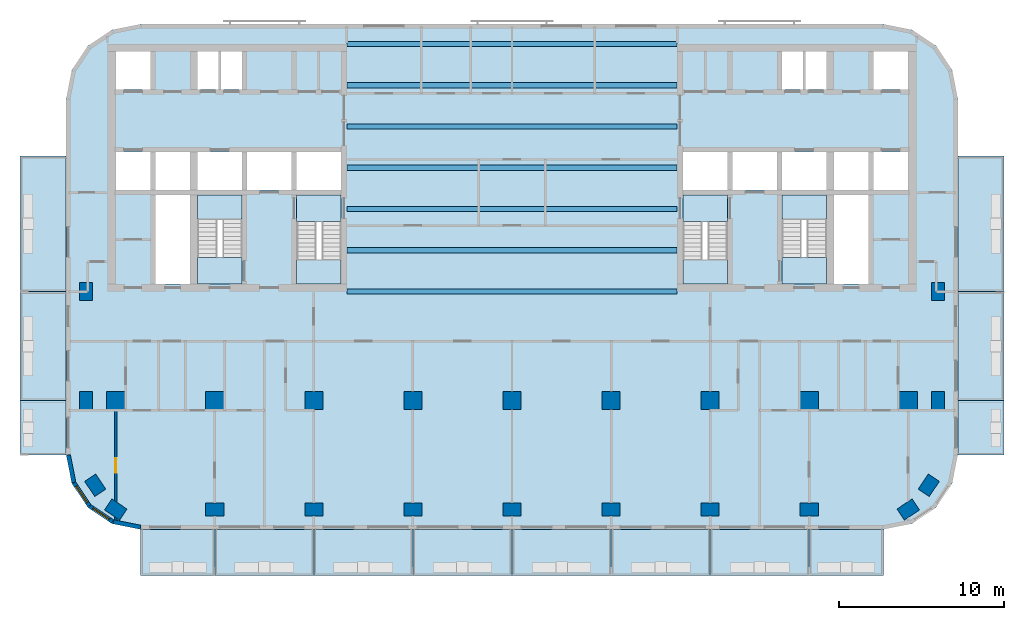
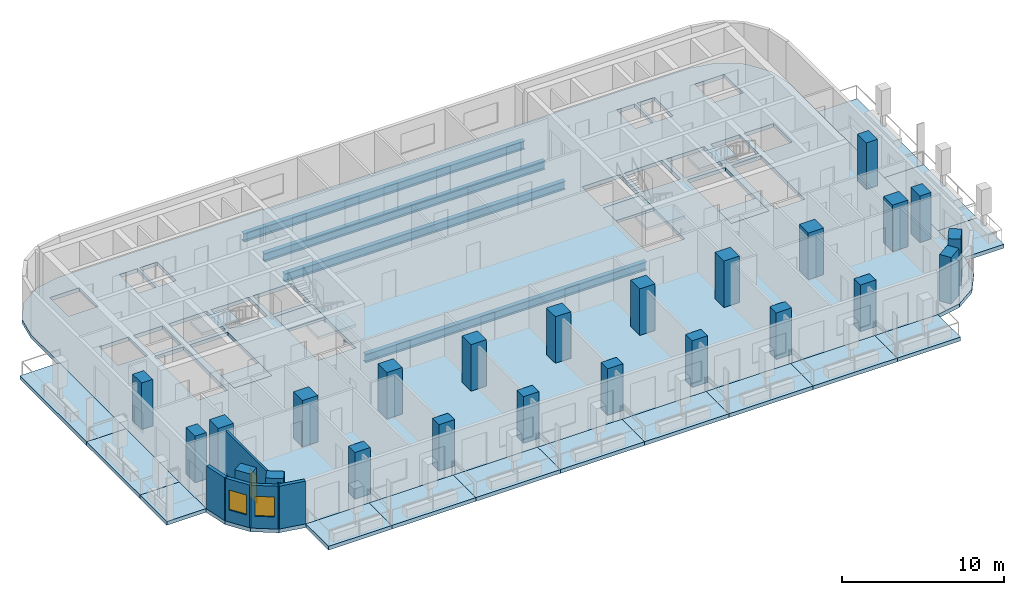
# One storey, part 1 of 12: 24 columns, 23 slabs, 7 beams, 5 walls, 2 windows, 1 door, 3 openings, 4 elements without a shape of their own.
"""IFC4 building model written with IfcOpenShell, lengths in metres."""

from ifc_helpers import new_model, si_unit, direction, frame, frame_2d, origin, origin_2d, place, context, subcontext, project, spatial, polyline, rectangle, i_section, outline, extrude, material, layer, layer_set, material_profile, profile_set, type_object, element, fill, aggregate, save


model = new_model("IFC4")

# Units and contexts
model_context = context("Model", 3, precision=1e-05, world=origin(), true_north=direction((0.0, 1.0)))
body_context = subcontext(model_context, "Body", "Model", "MODEL_VIEW")
ifc_project = project(units=[si_unit("LENGTHUNIT", "METRE"), si_unit("AREAUNIT", "SQUARE_METRE"), si_unit("VOLUMEUNIT", "CUBIC_METRE"), si_unit("PLANEANGLEUNIT", "RADIAN"), si_unit("MASSUNIT", "GRAM", prefix="KILO")], contexts=[model_context])

# Site, building, storey
site_placement = place(None, origin())
site = spatial("IfcSite", under=ifc_project, at=site_placement, CompositionType="ELEMENT")
building_placement = place(site_placement, origin())
building = spatial("IfcBuilding", under=site, at=building_placement, Name="Torana Hotel and Residences", CompositionType="ELEMENT")
storey_placement = place(building_placement, frame((0.0, 0.0, 197.60009765625)))
storey = spatial("IfcBuildingStorey", under=building, at=storey_placement, Name="L51", CompositionType="ELEMENT", Elevation=197.60009765625)

# Columns
ifc_material_1 = material(Name="Concrete C60/75", Category="concrete")
ifc_material_profile_1 = material_profile(ifc_material_1, rectangle(XDim=1.10009765625, YDim=1.10009765625, at=origin_2d()), Name="RC 1100x1100")
ifc_profile_set_1 = profile_set([ifc_material_profile_1], Name="Concrete C60/75")
column_type_1 = type_object("IfcColumnType", Name="COLUMN RC 1100x1100 C60/75", PredefinedType="COLUMN", material=ifc_profile_set_1)
for number, where, z_axis, x_axis, name in (
    (1, (-24.0, -21.60009765625, 0.0), (0.0, 0.0, 1.0), (1.0, 0.0, 0.0), "Column L51"),
    (2, (-18.0, -21.60009765625, 0.0), (0.0, 0.0, 1.0), (1.0, 0.0, 0.0), "Column L51"),
    (3, (-12.0, -21.60009765625, 0.0), (0.0, 0.0, 1.0), (1.0, 0.0, 0.0), "Column L51"),
    (4, (-6.0, -21.60009765625, 0.0), (0.0, 0.0, 1.0), (1.0, 0.0, 0.0), "Column L51"),
    (5, (0.0, -21.60009765625, 0.0), (0.0, 0.0, 1.0), (1.0, 0.0, 0.0), "Column L51"),
    (6, (6.0, -21.60009765625, 0.0), (0.0, 0.0, 1.0), (1.0, 0.0, 0.0), "Column L51"),
    (7, (12.0, -21.60009765625, 0.0), (0.0, 0.0, 1.0), (1.0, 0.0, 0.0), "Column L51"),
    (8, (18.0, -21.60009765625, 0.0), (0.0, 0.0, 1.0), (1.0, 0.0, 0.0), "Column L51"),
    (9, (24.0, -21.60009765625, 0.0), (0.0, 0.0, 1.0), (1.0, 0.0, 0.0), "Column L51"),
):
    element("IfcColumn", number, at=place(storey_placement, frame(where, z_axis=z_axis, x_axis=x_axis)), inside=storey, type_object=column_type_1, Name=name, PredefinedType="COLUMN", context=body_context, shape_type="SweptSolid", body=[
        extrude(rectangle(XDim=1.10009765625, YDim=1.10009765625, at=origin_2d()), origin(), (0.0, 0.0, 1.0), 3.5),
    ])
ifc_material_2 = material(Name="Concrete C60/75", Category="concrete")
ifc_material_profile_2 = material_profile(ifc_material_2, rectangle(XDim=1.10009765625, YDim=0.800048828125, at=origin_2d()), Name="RC 1100x800")
ifc_profile_set_2 = profile_set([ifc_material_profile_2], Name="Concrete C60/75")
column_type_2 = type_object("IfcColumnType", Name="COLUMN RC 1100x800 C60/75", PredefinedType="COLUMN", material=ifc_profile_set_2)
for number, where, z_axis, x_axis, name in (
    (10, (-25.800048828125, -21.60009765625, 0.0), (0.0, 0.0, 1.0), (0.0, 1.0, 0.0), "Column L51"),
    (11, (-25.800048828125, -15.0, 0.0), (0.0, 0.0, 1.0), (0.0, 1.0, 0.0), "Column L51"),
    (12, (-25.243896484375, -26.73291015625, 0.0), (0.0, 0.0, 1.0), (-0.555584744817, 0.831459915646, 0.0), "Column L51"),
    (13, (-24.0, -28.199951171875, 0.0), (0.0, 0.0, 1.0), (-0.831459915646, 0.555584744817, 0.0), "Column L51"),
    (14, (-18.0, -28.199951171875, 0.0), (0.0, 0.0, 1.0), (1.0, 0.0, 0.0), "Column L51"),
    (15, (-12.0, -28.199951171875, 0.0), (0.0, 0.0, 1.0), (1.0, 0.0, 0.0), "Column L51"),
    (16, (-6.0, -28.199951171875, 0.0), (0.0, 0.0, 1.0), (1.0, 0.0, 0.0), "Column L51"),
    (17, (0.0, -28.199951171875, 0.0), (0.0, 0.0, 1.0), (1.0, 0.0, 0.0), "Column L51"),
    (18, (6.0, -28.199951171875, 0.0), (0.0, 0.0, 1.0), (1.0, 0.0, 0.0), "Column L51"),
    (19, (12.0, -28.199951171875, 0.0), (0.0, 0.0, 1.0), (1.0, 0.0, 0.0), "Column L51"),
    (20, (18.0, -28.199951171875, 0.0), (0.0, 0.0, 1.0), (1.0, 0.0, 0.0), "Column L51"),
    (21, (24.0, -28.199951171875, 0.0), (0.0, 0.0, 1.0), (0.831459915646, 0.555584744817, 0.0), "Column L51"),
    (22, (25.243896484375, -26.73291015625, 0.0), (0.0, 0.0, 1.0), (0.555584744817, 0.831459915646, 0.0), "Column L51"),
    (23, (25.800048828125, -21.60009765625, 0.0), (0.0, 0.0, 1.0), (0.0, 1.0, 0.0), "Column L51"),
    (24, (25.800048828125, -15.0, 0.0), (0.0, 0.0, 1.0), (0.0, 1.0, 0.0), "Column L51"),
):
    element("IfcColumn", number, at=place(storey_placement, frame(where, z_axis=z_axis, x_axis=x_axis)), inside=storey, type_object=column_type_2, Name=name, PredefinedType="COLUMN", context=body_context, shape_type="SweptSolid", body=[
        extrude(rectangle(XDim=1.10009765625, YDim=0.800048828125, at=origin_2d()), origin(), (0.0, 0.0, 1.0), 3.5),
    ])

# Beams
ifc_material_3 = material(Name="Steel S355", Category="steel")
ifc_material_profile_3 = material_profile(ifc_material_3, i_section(OverallWidth=0.311279296875, OverallDepth=0.6357421875, WebThickness=0.018310546875, FlangeThickness=0.031494140625, FilletRadius=0.0166015625, at=origin_2d()), Name="610x305x238 UB")
ifc_profile_set_3 = profile_set([ifc_material_profile_3], Name="Steel S355")
beam_type = type_object("IfcBeamType", Name="STEEL GIRDER 610x305x238 UB", PredefinedType="BEAM", material=ifc_profile_set_3)
for number, where, z_axis, x_axis, name in (
    (25, (-10.0, -15.0, -0.597900390625), (1.0, 0.0, 0.0), (0.0, 1.0, 0.0), "Floor girder"),
    (26, (-10.0, -12.5, -0.597900390625), (1.0, 0.0, 0.0), (0.0, 1.0, 0.0), "Floor girder"),
    (27, (-10.0, -10.0, -0.597900390625), (1.0, 0.0, 0.0), (0.0, 1.0, 0.0), "Floor girder"),
    (28, (-10.0, -7.5, -0.597900390625), (1.0, 0.0, 0.0), (0.0, 1.0, 0.0), "Floor girder"),
    (29, (-10.0, -5.0, -0.597900390625), (1.0, 0.0, 0.0), (0.0, 1.0, 0.0), "Floor girder"),
    (30, (-10.0, -2.5, -0.597900390625), (1.0, 0.0, 0.0), (0.0, 1.0, 0.0), "Floor girder"),
    (31, (-10.0, 0.0, -0.597900390625), (1.0, 0.0, 0.0), (0.0, 1.0, 0.0), "Floor girder"),
):
    element("IfcBeam", number, at=place(storey_placement, frame(where, z_axis=z_axis, x_axis=x_axis)), inside=storey, type_object=beam_type, Name=name, PredefinedType="BEAM", context=body_context, shape_type="SweptSolid", body=[
        extrude(i_section(OverallWidth=0.311279296875, OverallDepth=0.6357421875, WebThickness=0.018310546875, FlangeThickness=0.031494140625, FilletRadius=0.0166015625, at=origin_2d()), origin(), (0.0, 0.0, 1.0), 20.0),
    ])

# Slabs
ifc_material_4 = material(Name="Concrete C40/50", Category="concrete")
ifc_layer_1 = layer(ifc_material_4, 0.280029296875)
ifc_layer_set_1 = layer_set([ifc_layer_1], Name="BAL1 BALCONY SLAB 280")
slab_type_1 = type_object("IfcSlabType", Name="BAL1 BALCONY SLAB 280", PredefinedType="USERDEFINED", material=ifc_layer_set_1)
slab_1_placement = place(storey_placement, frame((0.0, 0.0, -0.280029296875)))
element("IfcSlab", 32, at=slab_1_placement, inside=storey, type_object=slab_type_1, Name="Balcony 01", ObjectType="BALCONY", PredefinedType="USERDEFINED", context=body_context, shape_type="SweptSolid", body=[
    extrude(outline(polyline([(-22.5, -32.199951171875), (-18.0, -32.199951171875), (-18.0, -29.39990234375), (-22.5, -29.39990234375), (-22.5, -32.199951171875)])), origin(), (0.0, 0.0, 1.0), 0.280029296875),
])
slab_2_placement = place(storey_placement, frame((0.0, 0.0, -0.280029296875)))
element("IfcSlab", 33, at=slab_2_placement, inside=storey, type_object=slab_type_1, Name="Balcony 02", ObjectType="BALCONY", PredefinedType="USERDEFINED", context=body_context, shape_type="SweptSolid", body=[
    extrude(outline(polyline([(-18.0, -32.199951171875), (-12.0, -32.199951171875), (-12.0, -29.39990234375), (-18.0, -29.39990234375), (-18.0, -32.199951171875)])), origin(), (0.0, 0.0, 1.0), 0.280029296875),
])
slab_3_placement = place(storey_placement, frame((0.0, 0.0, -0.280029296875)))
element("IfcSlab", 34, at=slab_3_placement, inside=storey, type_object=slab_type_1, Name="Balcony 03", ObjectType="BALCONY", PredefinedType="USERDEFINED", context=body_context, shape_type="SweptSolid", body=[
    extrude(outline(polyline([(-12.0, -32.199951171875), (-6.0, -32.199951171875), (-6.0, -29.39990234375), (-12.0, -29.39990234375), (-12.0, -32.199951171875)])), origin(), (0.0, 0.0, 1.0), 0.280029296875),
])
slab_4_placement = place(storey_placement, frame((0.0, 0.0, -0.280029296875)))
element("IfcSlab", 35, at=slab_4_placement, inside=storey, type_object=slab_type_1, Name="Balcony 04", ObjectType="BALCONY", PredefinedType="USERDEFINED", context=body_context, shape_type="SweptSolid", body=[
    extrude(outline(polyline([(-6.0, -32.199951171875), (0.0, -32.199951171875), (0.0, -29.39990234375), (-6.0, -29.39990234375), (-6.0, -32.199951171875)])), origin(), (0.0, 0.0, 1.0), 0.280029296875),
])
slab_5_placement = place(storey_placement, frame((0.0, 0.0, -0.280029296875)))
element("IfcSlab", 36, at=slab_5_placement, inside=storey, type_object=slab_type_1, Name="Balcony 05", ObjectType="BALCONY", PredefinedType="USERDEFINED", context=body_context, shape_type="SweptSolid", body=[
    extrude(outline(polyline([(0.0, -32.199951171875), (6.0, -32.199951171875), (6.0, -29.39990234375), (0.0, -29.39990234375), (0.0, -32.199951171875)])), origin(), (0.0, 0.0, 1.0), 0.280029296875),
])
slab_6_placement = place(storey_placement, frame((0.0, 0.0, -0.280029296875)))
element("IfcSlab", 37, at=slab_6_placement, inside=storey, type_object=slab_type_1, Name="Balcony 06", ObjectType="BALCONY", PredefinedType="USERDEFINED", context=body_context, shape_type="SweptSolid", body=[
    extrude(outline(polyline([(6.0, -32.199951171875), (12.0, -32.199951171875), (12.0, -29.39990234375), (6.0, -29.39990234375), (6.0, -32.199951171875)])), origin(), (0.0, 0.0, 1.0), 0.280029296875),
])
slab_7_placement = place(storey_placement, frame((0.0, 0.0, -0.280029296875)))
element("IfcSlab", 38, at=slab_7_placement, inside=storey, type_object=slab_type_1, Name="Balcony 07", ObjectType="BALCONY", PredefinedType="USERDEFINED", context=body_context, shape_type="SweptSolid", body=[
    extrude(outline(polyline([(12.0, -32.199951171875), (18.0, -32.199951171875), (18.0, -29.39990234375), (12.0, -29.39990234375), (12.0, -32.199951171875)])), origin(), (0.0, 0.0, 1.0), 0.280029296875),
])
slab_8_placement = place(storey_placement, frame((0.0, 0.0, -0.280029296875)))
element("IfcSlab", 39, at=slab_8_placement, inside=storey, type_object=slab_type_1, Name="Balcony 08", ObjectType="BALCONY", PredefinedType="USERDEFINED", context=body_context, shape_type="SweptSolid", body=[
    extrude(outline(polyline([(18.0, -32.199951171875), (22.5, -32.199951171875), (22.5, -29.39990234375), (18.0, -29.39990234375), (18.0, -32.199951171875)])), origin(), (0.0, 0.0, 1.0), 0.280029296875),
])
slab_9_placement = place(storey_placement, frame((0.0, 0.0, -0.280029296875)))
element("IfcSlab", 40, at=slab_9_placement, inside=storey, type_object=slab_type_1, Name="Balcony 09", ObjectType="BALCONY", PredefinedType="USERDEFINED", context=body_context, shape_type="SweptSolid", body=[
    extrude(outline(polyline([(-29.800048828125, -24.89990234375), (-27.0, -24.89990234375), (-27.0, -21.60009765625), (-29.800048828125, -21.60009765625), (-29.800048828125, -24.89990234375)])), origin(), (0.0, 0.0, 1.0), 0.280029296875),
])
slab_10_placement = place(storey_placement, frame((0.0, 0.0, -0.280029296875)))
element("IfcSlab", 41, at=slab_10_placement, inside=storey, type_object=slab_type_1, Name="Balcony 10", ObjectType="BALCONY", PredefinedType="USERDEFINED", context=body_context, shape_type="SweptSolid", body=[
    extrude(outline(polyline([(-29.800048828125, -21.60009765625), (-27.0, -21.60009765625), (-27.0, -15.0), (-29.800048828125, -15.0), (-29.800048828125, -21.60009765625)])), origin(), (0.0, 0.0, 1.0), 0.280029296875),
])
slab_11_placement = place(storey_placement, frame((0.0, 0.0, -0.280029296875)))
element("IfcSlab", 42, at=slab_11_placement, inside=storey, type_object=slab_type_1, Name="Balcony 11", ObjectType="BALCONY", PredefinedType="USERDEFINED", context=body_context, shape_type="SweptSolid", body=[
    extrude(outline(polyline([(-29.800048828125, -15.0), (-27.0, -15.0), (-27.0, -6.800048828125), (-29.800048828125, -6.800048828125), (-29.800048828125, -15.0)])), origin(), (0.0, 0.0, 1.0), 0.280029296875),
])
slab_12_placement = place(storey_placement, frame((0.0, 0.0, -0.280029296875)))
element("IfcSlab", 43, at=slab_12_placement, inside=storey, type_object=slab_type_1, Name="Balcony 12", ObjectType="BALCONY", PredefinedType="USERDEFINED", context=body_context, shape_type="SweptSolid", body=[
    extrude(outline(polyline([(27.0, -24.89990234375), (29.800048828125, -24.89990234375), (29.800048828125, -21.60009765625), (27.0, -21.60009765625), (27.0, -24.89990234375)])), origin(), (0.0, 0.0, 1.0), 0.280029296875),
])
slab_13_placement = place(storey_placement, frame((0.0, 0.0, -0.280029296875)))
element("IfcSlab", 44, at=slab_13_placement, inside=storey, type_object=slab_type_1, Name="Balcony 13", ObjectType="BALCONY", PredefinedType="USERDEFINED", context=body_context, shape_type="SweptSolid", body=[
    extrude(outline(polyline([(27.0, -21.60009765625), (29.800048828125, -21.60009765625), (29.800048828125, -15.0), (27.0, -15.0), (27.0, -21.60009765625)])), origin(), (0.0, 0.0, 1.0), 0.280029296875),
])
slab_14_placement = place(storey_placement, frame((0.0, 0.0, -0.280029296875)))
element("IfcSlab", 45, at=slab_14_placement, inside=storey, type_object=slab_type_1, Name="Balcony 14", ObjectType="BALCONY", PredefinedType="USERDEFINED", context=body_context, shape_type="SweptSolid", body=[
    extrude(outline(polyline([(27.0, -15.0), (29.800048828125, -15.0), (29.800048828125, -6.800048828125), (27.0, -6.800048828125), (27.0, -15.0)])), origin(), (0.0, 0.0, 1.0), 0.280029296875),
])
ifc_material_5 = material(Name="Concrete C40/50", Category="concrete")
ifc_layer_2 = layer(ifc_material_5, 0.280029296875)
ifc_layer_set_2 = layer_set([ifc_layer_2], Name="FLOOR SLAB PT 280")
slab_type_2 = type_object("IfcSlabType", Name="FLOOR SLAB PT 280", PredefinedType="FLOOR", material=ifc_layer_set_2)
slab_15_placement = place(storey_placement, frame((0.0, 0.0, -0.280029296875)))
element("IfcSlab", 46, at=slab_15_placement, inside=storey, type_object=slab_type_2, Name="Floor slab", PredefinedType="FLOOR", context=body_context, shape_type="SweptSolid", body=[
    extrude(outline(polyline([(27.0, -3.300048828125), (26.657470703125, -1.577880859375), (25.681884765625, -0.117919921875), (24.22216796875, 0.857421875), (22.5, 1.199951171875), (-22.5, 1.199951171875), (-24.22216796875, 0.857421875), (-25.681884765625, -0.117919921875), (-26.657470703125, -1.577880859375), (-27.0, -3.300048828125), (-27.0, -24.89990234375), (-26.657470703125, -26.6220703125), (-25.681884765625, -28.08203125), (-24.22216796875, -29.0576171875), (-22.5, -29.39990234375), (22.5, -29.39990234375), (24.22216796875, -29.0576171875), (25.681884765625, -28.08203125), (26.657470703125, -26.6220703125), (27.0, -24.89990234375), (27.0, -3.300048828125)]), holes=[polyline([(-13.050048828125, -14.550048828125), (-10.35009765625, -14.550048828125), (-10.35009765625, -9.14990234375), (-13.050048828125, -9.14990234375), (-13.050048828125, -14.550048828125)]), polyline([(-19.050048828125, -14.550048828125), (-16.35009765625, -14.550048828125), (-16.35009765625, -9.14990234375), (-19.050048828125, -9.14990234375), (-19.050048828125, -14.550048828125)]), polyline([(-17.625, -2.75), (-16.35009765625, -2.75), (-16.35009765625, -0.449951171875), (-17.625, -0.449951171875), (-17.625, -2.75)]), polyline([(-19.050048828125, -2.75), (-17.77490234375, -2.75), (-17.77490234375, -0.449951171875), (-19.050048828125, -0.449951171875), (-19.050048828125, -2.75)]), polyline([(-21.60009765625, -8.85009765625), (-19.5, -8.85009765625), (-19.5, -6.550048828125), (-21.60009765625, -6.550048828125), (-21.60009765625, -8.85009765625)]), polyline([(-24.0, -2.75), (-21.89990234375, -2.75), (-21.89990234375, -0.449951171875), (-24.0, -0.449951171875), (-24.0, -2.75)]), polyline([(-24.0, -8.85009765625), (-21.89990234375, -8.85009765625), (-21.89990234375, -6.550048828125), (-24.0, -6.550048828125), (-24.0, -8.85009765625)]), polyline([(-13.050048828125, -8.85009765625), (-10.35009765625, -8.85009765625), (-10.35009765625, -6.550048828125), (-13.050048828125, -6.550048828125), (-13.050048828125, -8.85009765625)]), polyline([(-16.050048828125, -8.85009765625), (-13.35009765625, -8.85009765625), (-13.35009765625, -6.550048828125), (-16.050048828125, -6.550048828125), (-16.050048828125, -8.85009765625)]), polyline([(-19.050048828125, -8.85009765625), (-16.35009765625, -8.85009765625), (-16.35009765625, -6.550048828125), (-19.050048828125, -6.550048828125), (-19.050048828125, -8.85009765625)]), polyline([(-21.60009765625, -14.550048828125), (-19.5, -14.550048828125), (-19.5, -9.14990234375), (-21.60009765625, -9.14990234375), (-21.60009765625, -14.550048828125)]), polyline([(10.35009765625, -14.550048828125), (13.050048828125, -14.550048828125), (13.050048828125, -9.14990234375), (10.35009765625, -9.14990234375), (10.35009765625, -14.550048828125)]), polyline([(16.35009765625, -14.550048828125), (19.050048828125, -14.550048828125), (19.050048828125, -9.14990234375), (16.35009765625, -9.14990234375), (16.35009765625, -14.550048828125)]), polyline([(16.35009765625, -2.75), (17.625, -2.75), (17.625, -0.449951171875), (16.35009765625, -0.449951171875), (16.35009765625, -2.75)]), polyline([(17.77490234375, -2.75), (19.050048828125, -2.75), (19.050048828125, -0.449951171875), (17.77490234375, -0.449951171875), (17.77490234375, -2.75)]), polyline([(19.5, -8.85009765625), (21.60009765625, -8.85009765625), (21.60009765625, -6.550048828125), (19.5, -6.550048828125), (19.5, -8.85009765625)]), polyline([(21.89990234375, -2.75), (24.0, -2.75), (24.0, -0.449951171875), (21.89990234375, -0.449951171875), (21.89990234375, -2.75)]), polyline([(21.89990234375, -8.85009765625), (24.0, -8.85009765625), (24.0, -6.550048828125), (21.89990234375, -6.550048828125), (21.89990234375, -8.85009765625)]), polyline([(10.35009765625, -8.85009765625), (13.050048828125, -8.85009765625), (13.050048828125, -6.550048828125), (10.35009765625, -6.550048828125), (10.35009765625, -8.85009765625)]), polyline([(13.35009765625, -8.85009765625), (16.050048828125, -8.85009765625), (16.050048828125, -6.550048828125), (13.35009765625, -6.550048828125), (13.35009765625, -8.85009765625)]), polyline([(16.35009765625, -8.85009765625), (19.050048828125, -8.85009765625), (19.050048828125, -6.550048828125), (16.35009765625, -6.550048828125), (16.35009765625, -8.85009765625)]), polyline([(19.5, -14.550048828125), (21.60009765625, -14.550048828125), (21.60009765625, -9.14990234375), (19.5, -9.14990234375), (19.5, -14.550048828125)])]), origin(), (0.0, 0.0, 1.0), 0.280029296875),
])

# Stair, slabs
ifc_material_6 = material(Name="Concrete C40/50 precast", Category="concrete")
stair_type_1 = type_object("IfcStairType", Name="STAIR ST1 HALF TURN 1200", PredefinedType="HALF_TURN_STAIR", material=ifc_material_6)
stair_1_placement = place(storey_placement, origin())
stair_1 = element("IfcStair", 47, at=stair_1_placement, inside=storey, type_object=stair_type_1, Name="Stair ST1 L51", PredefinedType="HALF_TURN_STAIR")
ifc_material_7 = material(Name="Concrete C40/50 precast", Category="concrete")
ifc_layer_3 = layer(ifc_material_7, 0.199951171875)
ifc_layer_set_3 = layer_set([ifc_layer_3], Name="STAIR LANDING 200")
slab_type_3 = type_object("IfcSlabType", Name="STAIR LANDING 200", PredefinedType="LANDING", material=ifc_layer_set_3)
slab_16_placement = place(storey_placement, frame((0.0, 0.0, 1.5498046875)))
slab_16 = element("IfcSlab", 48, at=slab_16_placement, type_object=slab_type_3, Name="ST1 landing 1", PredefinedType="LANDING", context=body_context, shape_type="SweptSolid", body=[
    extrude(outline(polyline([(-13.050048828125, -14.550048828125), (-10.35009765625, -14.550048828125), (-10.35009765625, -13.090087890625), (-13.050048828125, -13.090087890625), (-13.050048828125, -14.550048828125)])), origin(), (0.0, 0.0, 1.0), 0.2001953125),
])
slab_17_placement = place(storey_placement, frame((0.0, 0.0, -0.2001953125)))
slab_17 = element("IfcSlab", 49, at=slab_17_placement, type_object=slab_type_3, Name="ST1 landing 2", PredefinedType="LANDING", context=body_context, shape_type="SweptSolid", body=[
    extrude(outline(polyline([(-13.050048828125, -10.75), (-10.35009765625, -10.75), (-10.35009765625, -9.14990234375), (-13.050048828125, -9.14990234375), (-13.050048828125, -10.75)])), origin(), (0.0, 0.0, 1.0), 0.2001953125),
])
aggregate(stair_1, [slab_16, slab_17])

ifc_material_8 = material(Name="Concrete C40/50 precast", Category="concrete")
stair_type_2 = type_object("IfcStairType", Name="STAIR ST2 HALF TURN 1200", PredefinedType="HALF_TURN_STAIR", material=ifc_material_8)
stair_2_placement = place(storey_placement, origin())
stair_2 = element("IfcStair", 50, at=stair_2_placement, inside=storey, type_object=stair_type_2, Name="Stair ST2 L51", PredefinedType="HALF_TURN_STAIR")
slab_18_placement = place(storey_placement, frame((0.0, 0.0, 1.5498046875)))
slab_18 = element("IfcSlab", 51, at=slab_18_placement, type_object=slab_type_3, Name="ST2 landing 1", PredefinedType="LANDING", context=body_context, shape_type="SweptSolid", body=[
    extrude(outline(polyline([(-19.050048828125, -10.610107421875), (-16.35009765625, -10.610107421875), (-16.35009765625, -9.14990234375), (-19.050048828125, -9.14990234375), (-19.050048828125, -10.610107421875)])), origin(), (0.0, 0.0, 1.0), 0.2001953125),
])
slab_19_placement = place(storey_placement, frame((0.0, 0.0, -0.2001953125)))
slab_19 = element("IfcSlab", 52, at=slab_19_placement, type_object=slab_type_3, Name="ST2 landing 2", PredefinedType="LANDING", context=body_context, shape_type="SweptSolid", body=[
    extrude(outline(polyline([(-19.050048828125, -14.550048828125), (-16.35009765625, -14.550048828125), (-16.35009765625, -12.949951171875), (-19.050048828125, -12.949951171875), (-19.050048828125, -14.550048828125)])), origin(), (0.0, 0.0, 1.0), 0.2001953125),
])
aggregate(stair_2, [slab_18, slab_19])

ifc_material_9 = material(Name="Concrete C40/50 precast", Category="concrete")
stair_type_3 = type_object("IfcStairType", Name="STAIR ST3 HALF TURN 1200", PredefinedType="HALF_TURN_STAIR", material=ifc_material_9)
stair_3_placement = place(storey_placement, origin())
stair_3 = element("IfcStair", 53, at=stair_3_placement, inside=storey, type_object=stair_type_3, Name="Stair ST3 L51", PredefinedType="HALF_TURN_STAIR")
slab_20_placement = place(storey_placement, frame((0.0, 0.0, 1.5498046875)))
slab_20 = element("IfcSlab", 54, at=slab_20_placement, type_object=slab_type_3, Name="ST3 landing 1", PredefinedType="LANDING", context=body_context, shape_type="SweptSolid", body=[
    extrude(outline(polyline([(10.35009765625, -14.550048828125), (13.050048828125, -14.550048828125), (13.050048828125, -13.090087890625), (10.35009765625, -13.090087890625), (10.35009765625, -14.550048828125)])), origin(), (0.0, 0.0, 1.0), 0.2001953125),
])
slab_21_placement = place(storey_placement, frame((0.0, 0.0, -0.2001953125)))
slab_21 = element("IfcSlab", 55, at=slab_21_placement, type_object=slab_type_3, Name="ST3 landing 2", PredefinedType="LANDING", context=body_context, shape_type="SweptSolid", body=[
    extrude(outline(polyline([(10.35009765625, -10.75), (13.050048828125, -10.75), (13.050048828125, -9.14990234375), (10.35009765625, -9.14990234375), (10.35009765625, -10.75)])), origin(), (0.0, 0.0, 1.0), 0.2001953125),
])
aggregate(stair_3, [slab_20, slab_21])

ifc_material_10 = material(Name="Concrete C40/50 precast", Category="concrete")
stair_type_4 = type_object("IfcStairType", Name="STAIR ST4 HALF TURN 1200", PredefinedType="HALF_TURN_STAIR", material=ifc_material_10)
stair_4_placement = place(storey_placement, origin())
stair_4 = element("IfcStair", 56, at=stair_4_placement, inside=storey, type_object=stair_type_4, Name="Stair ST4 L51", PredefinedType="HALF_TURN_STAIR")
slab_22_placement = place(storey_placement, frame((0.0, 0.0, 1.5498046875)))
slab_22 = element("IfcSlab", 57, at=slab_22_placement, type_object=slab_type_3, Name="ST4 landing 1", PredefinedType="LANDING", context=body_context, shape_type="SweptSolid", body=[
    extrude(outline(polyline([(16.35009765625, -10.610107421875), (19.050048828125, -10.610107421875), (19.050048828125, -9.14990234375), (16.35009765625, -9.14990234375), (16.35009765625, -10.610107421875)])), origin(), (0.0, 0.0, 1.0), 0.2001953125),
])
slab_23_placement = place(storey_placement, frame((0.0, 0.0, -0.2001953125)))
slab_23 = element("IfcSlab", 58, at=slab_23_placement, type_object=slab_type_3, Name="ST4 landing 2", PredefinedType="LANDING", context=body_context, shape_type="SweptSolid", body=[
    extrude(outline(polyline([(16.35009765625, -14.550048828125), (19.050048828125, -14.550048828125), (19.050048828125, -12.949951171875), (16.35009765625, -12.949951171875), (16.35009765625, -14.550048828125)])), origin(), (0.0, 0.0, 1.0), 0.2001953125),
])
aggregate(stair_4, [slab_22, slab_23])

# Wall
ifc_material_11 = material(Name="Black aluminium composite panel", Category="aluminium")
ifc_layer_4 = layer(ifc_material_11, 0.00390625, Name="Cladding", Category="cladding")
ifc_material_12 = material(Name="Ventilated air cavity")
ifc_layer_5 = layer(ifc_material_12, 0.0400390625, Name="Ventilated cavity", Category="cavity")
ifc_material_13 = material(Name="Mineral wool insulation")
ifc_layer_6 = layer(ifc_material_13, 0.090087890625, Name="Insulation", Category="insulation")
ifc_material_14 = material(Name="Steel S280GD", Category="steel")
ifc_layer_7 = layer(ifc_material_14, 0.092041015625, Name="Steel stud frame", Category="structure")
ifc_material_15 = material(Name="Fire rated plasterboard")
ifc_layer_8 = layer(ifc_material_15, 0.011962890625, Name="Inner board", Category="finish")
ifc_layer_9 = layer(ifc_material_15, 0.011962890625, Name="Second board", Category="finish")
ifc_layer_set_4 = layer_set([ifc_layer_4, ifc_layer_5, ifc_layer_6, ifc_layer_7, ifc_layer_8, ifc_layer_9], Name="EW1 EXTERNAL WALL BLACK METAL CLAD 250")
wall_type_1 = type_object("IfcWallType", Name="EW1 EXTERNAL WALL BLACK METAL CLAD 250", PredefinedType="SOLIDWALL", material=ifc_layer_set_4)
wall_1_placement = place(storey_placement, frame((-26.87255859375, -24.89990234375, 0.0), z_axis=(0.0, 0.0, 1.0), x_axis=(0.195026884138, -0.980797896849, 0.0)))
element("IfcWall", 59, at=wall_1_placement, inside=storey, type_object=wall_type_1, Name="External wall L51 e0.10", PredefinedType="SOLIDWALL", context=body_context, shape_type="SweptSolid", body=[
    extrude(rectangle(XDim=1.68115234375, YDim=0.25, at=frame_2d((0.840576171875, 0.0))), origin(), (0.0, 0.0, 1.0), 3.219970703125),
])

# Wall, opening, window
wall_2_placement = place(storey_placement, frame((-26.52587890625, -26.593994140625, 0.0), z_axis=(0.0, 0.0, 1.0), x_axis=(0.55555029066, -0.831482937015, 0.0)))
wall_2 = element("IfcWall", 60, at=wall_2_placement, inside=storey, type_object=wall_type_1, Name="External wall L51 e0.11", PredefinedType="SOLIDWALL", context=body_context, shape_type="SweptSolid", body=[
    extrude(rectangle(XDim=1.65625, YDim=0.25, at=frame_2d((0.828125, 0.0))), origin(), (0.0, 0.0, 1.0), 3.219970703125),
])
opening_1_placement = place(wall_2_placement, frame((0.228271484375, 0.0, 0.89990234375)))
opening_1 = element("IfcOpeningElement", 61, at=opening_1_placement, cuts=wall_2, Name="Opening W5", PredefinedType="OPENING", context=body_context, shape_type="SweptSolid", body=[
    extrude(rectangle(XDim=1.199951171875, YDim=1.5, at=frame_2d((0.60009765625, 0.75))), frame((0.0, 0.135009765625, 0.0), z_axis=(0.0, -1.0, 0.0), x_axis=(1.0, 0.0, 0.0)), (0.0, 0.0, 1.0), 0.27001953125),
])
ifc_material_16 = material(Name="Dark glass in black aluminium frame", Category="aluminium")
window_type = type_object("IfcWindowType", Name="W5 CORNER FACET WINDOW 1200x1500", PartitioningType="SINGLE_PANEL", PredefinedType="WINDOW", material=ifc_material_16)
window_1_placement = place(opening_1_placement, origin())
window_1 = element("IfcWindow", 62, at=window_1_placement, inside=storey, type_object=window_type, Name="Window L51 e0.11", OverallHeight=1.5, OverallWidth=1.199951171875, PartitioningType="SINGLE_PANEL", PredefinedType="WINDOW", context=body_context, shape_type="SweptSolid", body=[
    extrude(rectangle(XDim=1.199951171875, YDim=1.5, at=frame_2d((0.60009765625, 0.75))), frame((0.0, 0.030029296875, 0.0), z_axis=(0.0, -1.0, 0.0), x_axis=(1.0, 0.0, 0.0)), (0.0, 0.0, 1.0), 0.06005859375),
])
fill(opening_1, window_1)

wall_3_placement = place(storey_placement, frame((-25.5712890625, -28.005615234375, 0.0), z_axis=(0.0, 0.0, 1.0), x_axis=(0.831482937015, -0.55555029066, 0.0)))
wall_3 = element("IfcWall", 63, at=wall_3_placement, inside=storey, type_object=wall_type_1, Name="External wall L51 e0.12", PredefinedType="SOLIDWALL", context=body_context, shape_type="SweptSolid", body=[
    extrude(rectangle(XDim=1.65625, YDim=0.25, at=frame_2d((0.828125, 0.0))), origin(), (0.0, 0.0, 1.0), 3.219970703125),
])
opening_2_placement = place(wall_3_placement, frame((0.228271484375, 0.0, 0.89990234375)))
opening_2 = element("IfcOpeningElement", 64, at=opening_2_placement, cuts=wall_3, Name="Opening W5", PredefinedType="OPENING", context=body_context, shape_type="SweptSolid", body=[
    extrude(rectangle(XDim=1.199951171875, YDim=1.5, at=frame_2d((0.60009765625, 0.75))), frame((0.0, 0.135009765625, 0.0), z_axis=(0.0, -1.0, 0.0), x_axis=(1.0, 0.0, 0.0)), (0.0, 0.0, 1.0), 0.27001953125),
])
window_2_placement = place(opening_2_placement, origin())
window_2 = element("IfcWindow", 65, at=window_2_placement, inside=storey, type_object=window_type, Name="Window L51 e0.12", OverallHeight=1.5, OverallWidth=1.199951171875, PartitioningType="SINGLE_PANEL", PredefinedType="WINDOW", context=body_context, shape_type="SweptSolid", body=[
    extrude(rectangle(XDim=1.199951171875, YDim=1.5, at=frame_2d((0.60009765625, 0.75))), frame((0.0, 0.030029296875, 0.0), z_axis=(0.0, -1.0, 0.0), x_axis=(1.0, 0.0, 0.0)), (0.0, 0.0, 1.0), 0.06005859375),
])
fill(opening_2, window_2)

# Wall
wall_4_placement = place(storey_placement, frame((-24.14892578125, -28.944580078125, 0.0), z_axis=(0.0, 0.0, 1.0), x_axis=(0.980775640221, -0.19513878023, 0.0)))
element("IfcWall", 66, at=wall_4_placement, inside=storey, type_object=wall_type_1, Name="External wall L51 e0.13", PredefinedType="SOLIDWALL", context=body_context, shape_type="SweptSolid", body=[
    extrude(rectangle(XDim=1.681396484375, YDim=0.25, at=frame_2d((0.8408203125, 0.0))), origin(), (0.0, 0.0, 1.0), 3.219970703125),
])

# Wall, opening, door
ifc_material_17 = material(Name="Gypsum plasterboard")
ifc_layer_10 = layer(ifc_material_17, 0.012451171875, Name="Plasterboard", Category="finish")
ifc_layer_11 = layer(ifc_material_17, 0.012451171875, Name="Plasterboard", Category="finish")
ifc_layer_12 = layer(ifc_material_14, 0.10009765625, Name="Steel studs with mineral wool", Category="insulation")
ifc_layer_13 = layer(ifc_material_17, 0.012451171875, Name="Plasterboard", Category="finish")
ifc_layer_14 = layer(ifc_material_17, 0.012451171875, Name="Plasterboard", Category="finish")
ifc_layer_set_5 = layer_set([ifc_layer_10, ifc_layer_11, ifc_layer_12, ifc_layer_13, ifc_layer_14], Name="PARTITION 150 PLASTERBOARD")
wall_type_2 = type_object("IfcWallType", Name="PARTITION 150 PLASTERBOARD", PredefinedType="PARTITIONING", material=ifc_layer_set_5)
wall_5_placement = place(storey_placement, frame((-24.0, -28.918212890625, 0.0), z_axis=(0.0, 0.0, 1.0), x_axis=(0.0, 1.0, 0.0)))
wall_5 = element("IfcWall", 67, at=wall_5_placement, inside=storey, type_object=wall_type_2, Name="Partition L51", PredefinedType="PARTITIONING", context=body_context, shape_type="SweptSolid", body=[
    extrude(rectangle(XDim=6.71826171875, YDim=0.14990234375, at=frame_2d((3.359130859375, 0.0))), origin(), (0.0, 0.0, 1.0), 3.219970703125),
])
opening_3_placement = place(wall_5_placement, frame((2.93603515625, 0.0, 0.0)))
opening_3 = element("IfcOpeningElement", 68, at=opening_3_placement, cuts=wall_5, Name="Opening L51-63", PredefinedType="OPENING", context=body_context, shape_type="SweptSolid", body=[
    extrude(rectangle(XDim=0.89990234375, YDim=2.10009765625, at=frame_2d((0.449951171875, 1.050048828125))), frame((0.0, 0.0849609375, 0.0), z_axis=(0.0, -1.0, 0.0), x_axis=(1.0, 0.0, 0.0)), (0.0, 0.0, 1.0), 0.169921875),
])
ifc_material_18 = material(Name="Timber door, oiled ash", Category="wood")
door_type = type_object("IfcDoorType", Name="ROOM DOOR D7 900x2100", OperationType="SINGLE_SWING_LEFT", PredefinedType="DOOR", material=ifc_material_18)
door_placement = place(opening_3_placement, origin())
door = element("IfcDoor", 69, at=door_placement, inside=storey, type_object=door_type, Name="Door L51", OperationType="SINGLE_SWING_RIGHT", OverallHeight=2.10009765625, OverallWidth=0.89990234375, PredefinedType="DOOR", context=body_context, shape_type="SweptSolid", body=[
    extrude(rectangle(XDim=0.89990234375, YDim=2.10009765625, at=frame_2d((0.449951171875, 1.050048828125))), frame((0.0, 0.02490234375, 0.0), z_axis=(0.0, -1.0, 0.0), x_axis=(1.0, 0.0, 0.0)), (0.0, 0.0, 1.0), 0.050048828125),
])
fill(opening_3, door)

save(model, "model.ifc")
